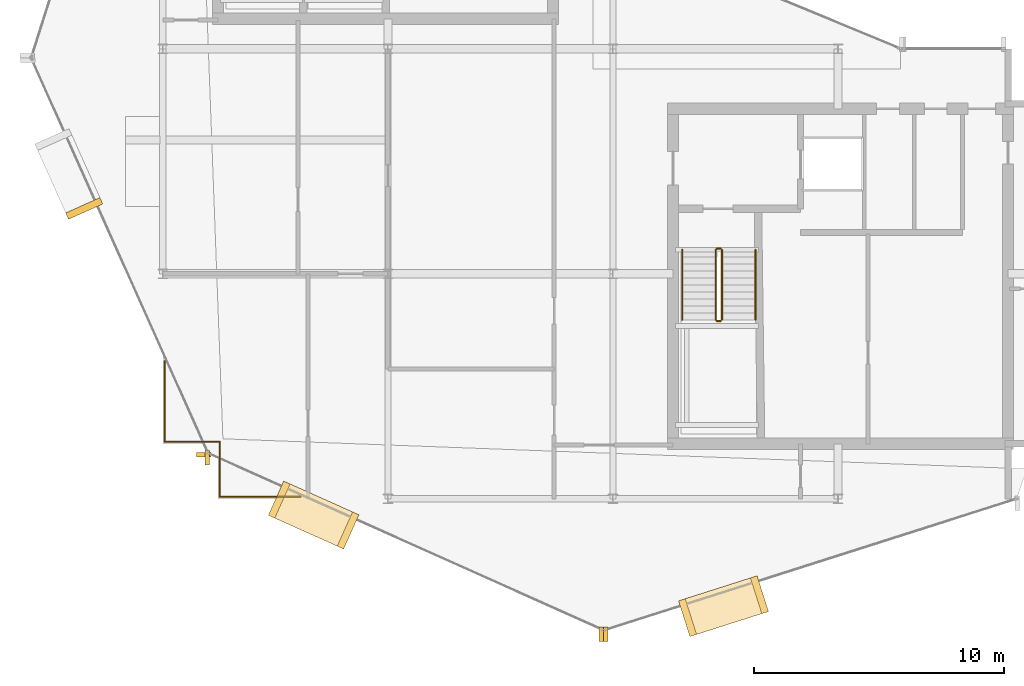
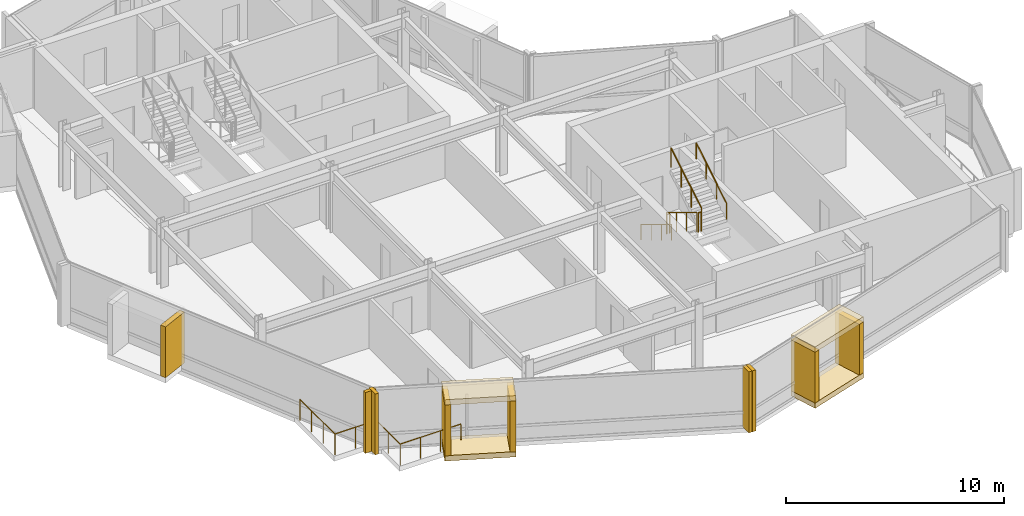
# One storey, part 16 of 19: 13 coverings, 10 railings.
"""IFC4 building model written with IfcOpenShell, lengths in metres."""

from ifc_helpers import new_model, si_unit, direction, frame, origin, origin_2d, place, context, subcontext, project, spatial, rectangle, circle, extrude, material, layer, layer_set, type_object, element, save


model = new_model("IFC4")

# Units and contexts
model_context = context("Model", 3, precision=1e-05, world=origin(), true_north=direction((0.0, 1.0)))
body_context = subcontext(model_context, "Body", "Model", "MODEL_VIEW")
ifc_project = project(units=[si_unit("LENGTHUNIT", "METRE"), si_unit("AREAUNIT", "SQUARE_METRE"), si_unit("VOLUMEUNIT", "CUBIC_METRE"), si_unit("PLANEANGLEUNIT", "RADIAN"), si_unit("MASSUNIT", "GRAM", prefix="KILO")], contexts=[model_context])

# Site, building, storey
site_placement = place(None, origin())
site = spatial("IfcSite", under=ifc_project, at=site_placement, CompositionType="ELEMENT")
building_placement = place(site_placement, origin())
building = spatial("IfcBuilding", under=site, at=building_placement, Name="Solvaryn Broadcast Tower", CompositionType="ELEMENT")
storey_placement = place(building_placement, frame((0.0, 0.0, 248.199951171875)))
storey = spatial("IfcBuildingStorey", under=building, at=storey_placement, Name="L62", CompositionType="ELEMENT", Elevation=248.199951171875)

# Coverings
ifc_material_1 = material(Name="Glazed Architectural Terracotta Rainscreen Cladding", Category="masonry")
ifc_layer_1 = layer(ifc_material_1, 0.280029296875)
ifc_layer_set_1 = layer_set([ifc_layer_1], Name="CV-TC-CLAD")
covering_type_1 = type_object("IfcCoveringType", Name="CV-TC-CLAD", PredefinedType="CLADDING", material=ifc_layer_set_1)
covering_1_placement = place(storey_placement, frame((5.852783203125, 20.61181640625, 0.27978515625), z_axis=(0.0, 0.0, 1.0), x_axis=(0.408489773781, -0.91276289622, 0.0)))
element("IfcCovering", 1, at=covering_1_placement, inside=storey, type_object=covering_type_1, Name="L62 Projecting Stone Window Box Cheek 2-2", PredefinedType="CLADDING", context=body_context, shape_type="SweptSolid", body=[
    extrude(rectangle(XDim=0.280029296875, YDim=1.5, at=origin_2d()), origin(), (0.0, 0.0, 1.0), 2.860107421875),
])
for number, where, z_axis, x_axis, name in (
    (2, (15.030029296875, 8.35107421875, 3.1298828125), (0.0, 0.0, 1.0), (0.91276289622, -0.408489773781, 0.0), "L62 Projecting Stone Window Box Hood 3"),
    (3, (15.030029296875, 8.35107421875, -0.009765625), (0.0, 0.0, 1.0), (0.91276289622, -0.408489773781, 0.0), "L62 Projecting Stone Window Box Sill 3"),
):
    element("IfcCovering", number, at=place(storey_placement, frame(where, z_axis=z_axis, x_axis=x_axis)), inside=storey, type_object=covering_type_1, Name=name, PredefinedType="CLADDING", context=body_context, shape_type="SweptSolid", body=[
        extrude(rectangle(XDim=3.300048828125, YDim=1.5, at=origin_2d()), origin(), (0.0, 0.0, 1.0), 0.300048828125),
    ])
for number, where, z_axis, x_axis, name in (
    (4, (13.651611328125, 8.9677734375, 0.27978515625), (0.0, 0.0, 1.0), (0.91276289622, -0.408489773781, 0.0), "L62 Projecting Stone Window Box Cheek 3-1"),
    (5, (16.408203125, 7.734130859375, 0.27978515625), (0.0, 0.0, 1.0), (0.91276289622, -0.408489773781, 0.0), "L62 Projecting Stone Window Box Cheek 3-2"),
):
    element("IfcCovering", number, at=place(storey_placement, frame(where, z_axis=z_axis, x_axis=x_axis)), inside=storey, type_object=covering_type_1, Name=name, PredefinedType="CLADDING", context=body_context, shape_type="SweptSolid", body=[
        extrude(rectangle(XDim=0.280029296875, YDim=1.5, at=origin_2d()), origin(), (0.0, 0.0, 1.0), 2.860107421875),
    ])
for number, where, z_axis, x_axis, name in (
    (6, (31.4208984375, 4.7060546875, 3.1298828125), (0.0, 0.0, 1.0), (0.952820541996, 0.303534206887, 0.0), "L62 Projecting Stone Window Box Hood 4"),
    (7, (31.4208984375, 4.7060546875, -0.009765625), (0.0, 0.0, 1.0), (0.952820541996, 0.303534206887, 0.0), "L62 Projecting Stone Window Box Sill 4"),
):
    element("IfcCovering", number, at=place(storey_placement, frame(where, z_axis=z_axis, x_axis=x_axis)), inside=storey, type_object=covering_type_1, Name=name, PredefinedType="CLADDING", context=body_context, shape_type="SweptSolid", body=[
        extrude(rectangle(XDim=3.300048828125, YDim=1.5, at=origin_2d()), origin(), (0.0, 0.0, 1.0), 0.300048828125),
    ])
for number, where, z_axis, x_axis, name in (
    (8, (29.982177734375, 4.247802734375, 0.27978515625), (0.0, 0.0, 1.0), (0.952820541996, 0.303534206887, 0.0), "L62 Projecting Stone Window Box Cheek 4-1"),
    (9, (32.85986328125, 5.164306640625, 0.27978515625), (0.0, 0.0, 1.0), (0.952820541996, 0.303534206887, 0.0), "L62 Projecting Stone Window Box Cheek 4-2"),
):
    element("IfcCovering", number, at=place(storey_placement, frame(where, z_axis=z_axis, x_axis=x_axis)), inside=storey, type_object=covering_type_1, Name=name, PredefinedType="CLADDING", context=body_context, shape_type="SweptSolid", body=[
        extrude(rectangle(XDim=0.280029296875, YDim=1.5, at=origin_2d()), origin(), (0.0, 0.0, 1.0), 2.860107421875),
    ])
ifc_material_2 = material(Name="Extruded Architectural Terracotta Fin", Category="masonry")
ifc_layer_2 = layer(ifc_material_2, 0.179931640625)
ifc_layer_set_2 = layer_set([ifc_layer_2], Name="CV-TC-FIN")
covering_type_2 = type_object("IfcCoveringType", Name="CV-TC-FIN", PredefinedType="USERDEFINED", material=ifc_layer_set_2)
covering_2_placement = place(storey_placement, frame((10.640380859375, 10.77099609375, 0.0), z_axis=(0.0, 0.0, 1.0), x_axis=(1.0, 0.0, 0.0)))
element("IfcCovering", 10, at=covering_2_placement, inside=storey, type_object=covering_type_2, Name="L62 Terracotta Vertical Fin FIN-L62-DR2-M01", ObjectType="FIN", PredefinedType="USERDEFINED", context=body_context, shape_type="SweptSolid", body=[
    extrude(rectangle(XDim=0.580078125, YDim=0.179931640625, at=origin_2d()), origin(), (0.0, 0.0, 1.0), 3.419921875),
])
for number, where, z_axis, x_axis, name in (
    (11, (10.77099609375, 10.640380859375, 0.0), (0.0, 0.0, 1.0), (1.0, 0.0, 0.0), "L62 Terracotta Vertical Fin FIN-L62-DR3-M00"),
    (12, (26.53515625, 3.5859375, 0.0), (0.0, 0.0, 1.0), (1.0, 0.0, 0.0), "L62 Terracotta Vertical Fin FIN-L62-DR3-M01"),
    (13, (26.71923828125, 3.575439453125, 0.0), (0.0, 0.0, 1.0), (1.0, 0.0, 0.0), "L62 Terracotta Vertical Fin FIN-L62-DR4-M00"),
):
    element("IfcCovering", number, at=place(storey_placement, frame(where, z_axis=z_axis, x_axis=x_axis)), inside=storey, type_object=covering_type_2, Name=name, ObjectType="FIN", PredefinedType="USERDEFINED", context=body_context, shape_type="SweptSolid", body=[
        extrude(rectangle(XDim=0.179931640625, YDim=0.580078125, at=origin_2d()), origin(), (0.0, 0.0, 1.0), 3.419921875),
    ])

# Railings
ifc_material_3 = material(Name="Stainless Steel and Laminated Glass Guard", Category="steel")
railing_type_1 = type_object("IfcRailingType", Name="RL-SKYG-1200", PredefinedType="BALUSTRADE", material=ifc_material_3)
railing_1_placement = place(storey_placement, frame((9.080078125, 14.5, 0.0)))
element("IfcRailing", 14, at=railing_1_placement, inside=storey, type_object=railing_type_1, Name="L62 Upper SW Corner Balustrade 1", PredefinedType="BALUSTRADE", context=body_context, shape_type="SweptSolid", body=[
    extrude(circle(Radius=0.02392578125, at=origin_2d()), frame((0.0, 0.0, 1.17578125), z_axis=(0.0, -1.0, 0.0), x_axis=(1.0, 0.0, 0.0)), (0.0, 0.0, 1.0), 3.219970703125),
    extrude(circle(Radius=0.02099609375, at=origin_2d()), origin(), (0.0, 0.0, 1.0), 1.15185546875),
    extrude(circle(Radius=0.02099609375, at=origin_2d()), frame((0.0, -1.0732421875, 0.0)), (0.0, 0.0, 1.0), 1.15185546875),
    extrude(circle(Radius=0.02099609375, at=origin_2d()), frame((0.0, -2.146728515625, 0.0)), (0.0, 0.0, 1.0), 1.15185546875),
    extrude(circle(Radius=0.02099609375, at=origin_2d()), frame((0.0, -3.219970703125, 0.0)), (0.0, 0.0, 1.0), 1.15185546875),
])
railing_2_placement = place(storey_placement, frame((9.080078125, 11.280029296875, 0.0)))
element("IfcRailing", 15, at=railing_2_placement, inside=storey, type_object=railing_type_1, Name="L62 Upper SW Corner Balustrade 2", PredefinedType="BALUSTRADE", context=body_context, shape_type="SweptSolid", body=[
    extrude(circle(Radius=0.02392578125, at=origin_2d()), frame((0.0, 0.0, 1.17578125), z_axis=(1.0, 0.0, 0.0), x_axis=(0.0, 1.0, 0.0)), (0.0, 0.0, 1.0), 2.199951171875),
    extrude(circle(Radius=0.02099609375, at=origin_2d()), origin(), (0.0, 0.0, 1.0), 1.15185546875),
    extrude(circle(Radius=0.02099609375, at=origin_2d()), frame((1.10009765625, 0.0, 0.0)), (0.0, 0.0, 1.0), 1.15185546875),
    extrude(circle(Radius=0.02099609375, at=origin_2d()), frame((2.199951171875, 0.0, 0.0)), (0.0, 0.0, 1.0), 1.15185546875),
])
railing_3_placement = place(storey_placement, frame((11.280029296875, 11.280029296875, 0.0)))
element("IfcRailing", 16, at=railing_3_placement, inside=storey, type_object=railing_type_1, Name="L62 Upper SW Corner Balustrade 3", PredefinedType="BALUSTRADE", context=body_context, shape_type="SweptSolid", body=[
    extrude(circle(Radius=0.02392578125, at=origin_2d()), frame((0.0, 0.0, 1.17578125), z_axis=(0.0, -1.0, 0.0), x_axis=(1.0, 0.0, 0.0)), (0.0, 0.0, 1.0), 2.199951171875),
    extrude(circle(Radius=0.02099609375, at=origin_2d()), origin(), (0.0, 0.0, 1.0), 1.15185546875),
    extrude(circle(Radius=0.02099609375, at=origin_2d()), frame((0.0, -1.10009765625, 0.0)), (0.0, 0.0, 1.0), 1.15185546875),
    extrude(circle(Radius=0.02099609375, at=origin_2d()), frame((0.0, -2.199951171875, 0.0)), (0.0, 0.0, 1.0), 1.15185546875),
])
railing_4_placement = place(storey_placement, frame((11.280029296875, 9.080078125, 0.0)))
element("IfcRailing", 17, at=railing_4_placement, inside=storey, type_object=railing_type_1, Name="L62 Upper SW Corner Balustrade 4", PredefinedType="BALUSTRADE", context=body_context, shape_type="SweptSolid", body=[
    extrude(circle(Radius=0.02392578125, at=origin_2d()), frame((0.0, 0.0, 1.17578125), z_axis=(1.0, 0.0, 0.0), x_axis=(0.0, 1.0, 0.0)), (0.0, 0.0, 1.0), 3.219970703125),
    extrude(circle(Radius=0.02099609375, at=origin_2d()), origin(), (0.0, 0.0, 1.0), 1.15185546875),
    extrude(circle(Radius=0.02099609375, at=origin_2d()), frame((1.0732421875, 0.0, 0.0)), (0.0, 0.0, 1.0), 1.15185546875),
    extrude(circle(Radius=0.02099609375, at=origin_2d()), frame((2.146728515625, 0.0, 0.0)), (0.0, 0.0, 1.0), 1.15185546875),
    extrude(circle(Radius=0.02099609375, at=origin_2d()), frame((3.219970703125, 0.0, 0.0)), (0.0, 0.0, 1.0), 1.15185546875),
])
ifc_material_4 = material(Name="Painted Steel Stair Well Guard", Category="steel")
railing_type_2 = type_object("IfcRailingType", Name="RL-STAIR-GUARD", PredefinedType="BALUSTRADE", material=ifc_material_4)
railing_5_placement = place(storey_placement, frame((31.110107421875, 18.9599609375, 0.168212890625)))
element("IfcRailing", 18, at=railing_5_placement, inside=storey, type_object=railing_type_2, Name="L62 ST3 stair guard 1", PredefinedType="BALUSTRADE", context=body_context, shape_type="SweptSolid", body=[
    extrude(circle(Radius=0.02392578125, at=origin_2d()), frame((0.0, 0.0, 1.076171875), z_axis=(0.0, -0.857242210791, 0.514913383045), x_axis=(1.0, 0.0, 0.0)), (0.0, 0.0, 1.0), 3.266357421875),
    extrude(circle(Radius=0.02099609375, at=origin_2d()), origin(), (0.0, 0.0, 1.0), 1.052001953125),
    extrude(circle(Radius=0.02099609375, at=origin_2d()), frame((0.0, -0.933349609375, 0.560546875)), (0.0, 0.0, 1.0), 1.052001953125),
    extrude(circle(Radius=0.02099609375, at=origin_2d()), frame((0.0, -1.86669921875, 1.121337890625)), (0.0, 0.0, 1.0), 1.052001953125),
    extrude(circle(Radius=0.02099609375, at=origin_2d()), frame((0.0, -2.800048828125, 1.681884765625)), (0.0, 0.0, 1.0), 1.052001953125),
])
railing_6_placement = place(storey_placement, frame((31.159912109375, 16.110107421875, 1.85009765625)))
element("IfcRailing", 19, at=railing_6_placement, inside=storey, type_object=railing_type_2, Name="L62 ST3 stair guard 2", PredefinedType="BALUSTRADE", context=body_context, shape_type="SweptSolid", body=[
    extrude(circle(Radius=0.02392578125, at=origin_2d()), frame((0.0, 0.0, 1.076171875), z_axis=(1.0, 0.0, 0.0), x_axis=(0.0, 1.0, 0.0)), (0.0, 0.0, 1.0), 0.150146484375),
    extrude(circle(Radius=0.02099609375, at=origin_2d()), origin(), (0.0, 0.0, 1.0), 1.052001953125),
    extrude(circle(Radius=0.02099609375, at=origin_2d()), frame((0.150146484375, 0.0, 0.0)), (0.0, 0.0, 1.0), 1.052001953125),
])
railing_7_placement = place(storey_placement, frame((31.360107421875, 16.159912109375, 2.018310546875)))
element("IfcRailing", 20, at=railing_7_placement, inside=storey, type_object=railing_type_2, Name="L62 ST3 stair guard 3", PredefinedType="BALUSTRADE", context=body_context, shape_type="SweptSolid", body=[
    extrude(circle(Radius=0.02392578125, at=origin_2d()), frame((0.0, 0.0, 1.076171875), z_axis=(0.0, 0.857275202839, 0.514858452973), x_axis=(-1.0, 0.0, 0.0)), (0.0, 0.0, 1.0), 3.26611328125),
    extrude(circle(Radius=0.02099609375, at=origin_2d()), origin(), (0.0, 0.0, 1.0), 1.052001953125),
    extrude(circle(Radius=0.02099609375, at=origin_2d()), frame((0.0, 0.933349609375, 0.560546875)), (0.0, 0.0, 1.0), 1.052001953125),
    extrude(circle(Radius=0.02099609375, at=origin_2d()), frame((0.0, 1.86669921875, 1.12109375)), (0.0, 0.0, 1.0), 1.052001953125),
    extrude(circle(Radius=0.02099609375, at=origin_2d()), frame((0.0, 2.800048828125, 1.681640625)), (0.0, 0.0, 1.0), 1.052001953125),
])
railing_8_placement = place(storey_placement, frame((31.159912109375, 19.010009765625, 0.0)))
element("IfcRailing", 21, at=railing_8_placement, inside=storey, type_object=railing_type_2, Name="L62 ST3 stair guard 4", PredefinedType="BALUSTRADE", context=body_context, shape_type="SweptSolid", body=[
    extrude(circle(Radius=0.02392578125, at=origin_2d()), frame((0.0, 0.0, 1.076171875), z_axis=(1.0, 0.0, 0.0), x_axis=(0.0, 1.0, 0.0)), (0.0, 0.0, 1.0), 0.150146484375),
    extrude(circle(Radius=0.02099609375, at=origin_2d()), origin(), (0.0, 0.0, 1.0), 1.052001953125),
    extrude(circle(Radius=0.02099609375, at=origin_2d()), frame((0.150146484375, 0.0, 0.0)), (0.0, 0.0, 1.0), 1.052001953125),
])
ifc_material_5 = material(Name="Brushed Stainless Steel Tubular Handrail", Category="steel")
railing_type_3 = type_object("IfcRailingType", Name="RL-STAIR-HANDRAIL", PredefinedType="HANDRAIL", material=ifc_material_5)
railing_9_placement = place(storey_placement, frame((29.77001953125, 18.9599609375, 0.168212890625)))
element("IfcRailing", 22, at=railing_9_placement, inside=storey, type_object=railing_type_3, Name="L62 ST3 stair handrail 1", PredefinedType="HANDRAIL", context=body_context, shape_type="SweptSolid", body=[
    extrude(circle(Radius=0.02392578125, at=origin_2d()), frame((0.0, 0.0, 0.8759765625), z_axis=(0.0, -0.857242210791, 0.514913383045), x_axis=(1.0, 0.0, 0.0)), (0.0, 0.0, 1.0), 3.266357421875),
    extrude(circle(Radius=0.02099609375, at=origin_2d()), origin(), (0.0, 0.0, 1.0), 0.851806640625),
    extrude(circle(Radius=0.02099609375, at=origin_2d()), frame((0.0, -0.933349609375, 0.560546875)), (0.0, 0.0, 1.0), 0.851806640625),
    extrude(circle(Radius=0.02099609375, at=origin_2d()), frame((0.0, -1.86669921875, 1.121337890625)), (0.0, 0.0, 1.0), 0.851806640625),
    extrude(circle(Radius=0.02099609375, at=origin_2d()), frame((0.0, -2.800048828125, 1.681884765625)), (0.0, 0.0, 1.0), 0.851806640625),
])
railing_10_placement = place(storey_placement, frame((32.699951171875, 16.159912109375, 2.018310546875)))
element("IfcRailing", 23, at=railing_10_placement, inside=storey, type_object=railing_type_3, Name="L62 ST3 stair handrail 2", PredefinedType="HANDRAIL", context=body_context, shape_type="SweptSolid", body=[
    extrude(circle(Radius=0.02392578125, at=origin_2d()), frame((0.0, 0.0, 0.8759765625), z_axis=(0.0, 0.857275202839, 0.514858452973), x_axis=(-1.0, 0.0, 0.0)), (0.0, 0.0, 1.0), 3.26611328125),
    extrude(circle(Radius=0.02099609375, at=origin_2d()), origin(), (0.0, 0.0, 1.0), 0.851806640625),
    extrude(circle(Radius=0.02099609375, at=origin_2d()), frame((0.0, 0.933349609375, 0.560546875)), (0.0, 0.0, 1.0), 0.851806640625),
    extrude(circle(Radius=0.02099609375, at=origin_2d()), frame((0.0, 1.86669921875, 1.12109375)), (0.0, 0.0, 1.0), 0.851806640625),
    extrude(circle(Radius=0.02099609375, at=origin_2d()), frame((0.0, 2.800048828125, 1.681640625)), (0.0, 0.0, 1.0), 0.851806640625),
])

save(model, "model.ifc")
